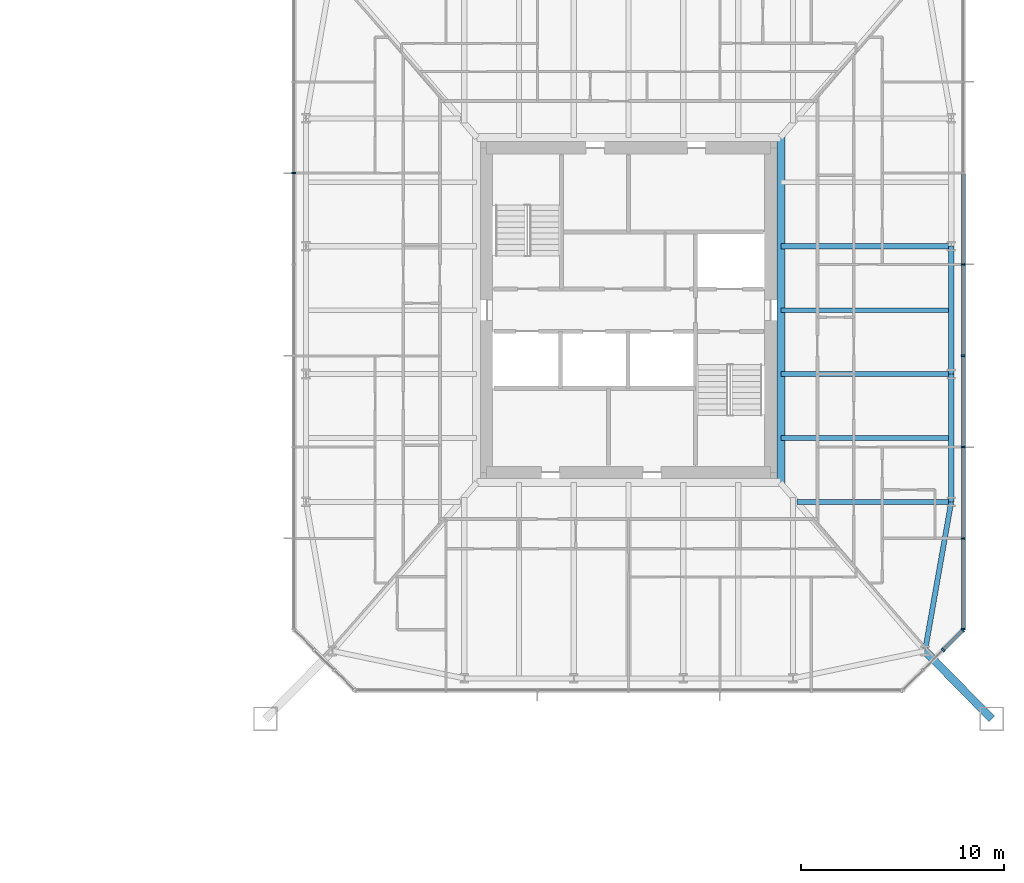
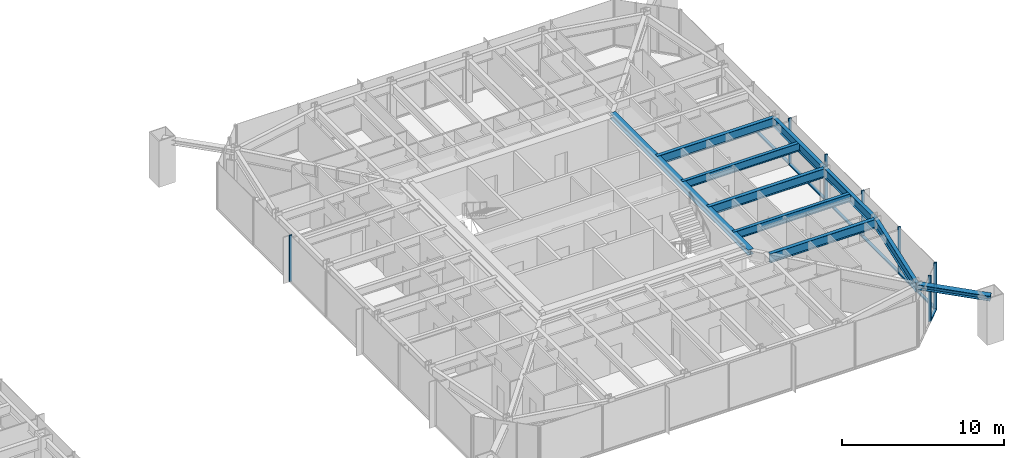
# One storey, part 9 of 26: 15 members, 9 beams, 3 elements without a shape of their own.
"""IFC4 building model written with IfcOpenShell, lengths in metres."""

from ifc_helpers import new_model, si_unit, direction, frame, origin, origin_2d, place, context, subcontext, project, spatial, rectangle, i_section, extrude, material, material_profile, profile_set, type_object, element, aggregate, save


model = new_model("IFC4")

# Units and contexts
model_context = context("Model", 3, precision=1e-05, world=origin(), true_north=direction((0.0, 1.0)))
body_context = subcontext(model_context, "Body", "Model", "MODEL_VIEW")
ifc_project = project(units=[si_unit("LENGTHUNIT", "METRE"), si_unit("AREAUNIT", "SQUARE_METRE"), si_unit("VOLUMEUNIT", "CUBIC_METRE"), si_unit("PLANEANGLEUNIT", "RADIAN"), si_unit("MASSUNIT", "GRAM", prefix="KILO")], contexts=[model_context])

# Site, building, storey
site_placement = place(None, origin())
site = spatial("IfcSite", under=ifc_project, at=site_placement, CompositionType="ELEMENT")
building_placement = place(site_placement, origin())
building = spatial("IfcBuilding", under=site, at=building_placement, Name="Iwan Alto Co-Living Towers", CompositionType="ELEMENT")
storey_placement = place(building_placement, frame((0.0, 0.0, 29.0)))
storey = spatial("IfcBuildingStorey", under=building, at=storey_placement, Name="L07", CompositionType="ELEMENT", Elevation=29.0)

# Curtain wall, members
ifc_material_1 = material(Name="Bronze aluminium unitised frame", Category="aluminium")
curtain_wall_type_1 = type_object("IfcCurtainWallType", Name="CURTAIN WALL CW-C", PredefinedType="NOTDEFINED", material=ifc_material_1)
curtain_wall_1_placement = place(storey_placement, origin())
curtain_wall_1 = element("IfcCurtainWall", 1, at=curtain_wall_1_placement, inside=storey, type_object=curtain_wall_type_1, Name="T2 curtain wall E L07", PredefinedType="NOTDEFINED")
ifc_material_2 = material(Name="Aluminium 6063-T6 bronze anodised", Category="aluminium")
ifc_material_profile_1 = material_profile(ifc_material_2, rectangle(XDim=0.199951171875, YDim=0.080078125, at=origin_2d()), Name="AL 80X200")
ifc_profile_set_1 = profile_set([ifc_material_profile_1], Name="Aluminium 6063-T6 bronze anodised")
member_type_1 = type_object("IfcMemberType", Name="CW-C MULLION 80X200", PredefinedType="MULLION", material=ifc_profile_set_1)
member_1_placement = place(storey_placement, frame((79.5, -15.7099609375, 0.0), z_axis=(0.0, 0.0, 1.0), x_axis=(-1.0, 0.0, 0.0)))
member_1 = element("IfcMember", 2, at=member_1_placement, type_object=member_type_1, Name="CW-C mullion 1", PredefinedType="MULLION", context=body_context, shape_type="SweptSolid", body=[
    extrude(rectangle(XDim=0.199951171875, YDim=0.080078125, at=origin_2d()), origin(), (0.0, 0.0, 1.0), 3.5),
])
member_2_placement = place(storey_placement, frame((79.5, -11.25, 0.0), z_axis=(0.0, 0.0, 1.0), x_axis=(-1.0, 0.0, 0.0)))
member_2 = element("IfcMember", 3, at=member_2_placement, type_object=member_type_1, Name="CW-C mullion 2", PredefinedType="MULLION", context=body_context, shape_type="SweptSolid", body=[
    extrude(rectangle(XDim=0.199951171875, YDim=0.080078125, at=origin_2d()), origin(), (0.0, 0.0, 1.0), 3.5),
])
member_3_placement = place(storey_placement, frame((79.5, -6.75, 0.0), z_axis=(0.0, 0.0, 1.0), x_axis=(-1.0, 0.0, 0.0)))
member_3 = element("IfcMember", 4, at=member_3_placement, type_object=member_type_1, Name="CW-C mullion 3", PredefinedType="MULLION", context=body_context, shape_type="SweptSolid", body=[
    extrude(rectangle(XDim=0.199951171875, YDim=0.080078125, at=origin_2d()), origin(), (0.0, 0.0, 1.0), 3.5),
])
member_4_placement = place(storey_placement, frame((79.5, -2.25, 0.0), z_axis=(0.0, 0.0, 1.0), x_axis=(-1.0, 0.0, 0.0)))
member_4 = element("IfcMember", 5, at=member_4_placement, type_object=member_type_1, Name="CW-C mullion 4", PredefinedType="MULLION", context=body_context, shape_type="SweptSolid", body=[
    extrude(rectangle(XDim=0.199951171875, YDim=0.080078125, at=origin_2d()), origin(), (0.0, 0.0, 1.0), 3.5),
])
member_5_placement = place(storey_placement, frame((79.5, 2.25, 0.0), z_axis=(0.0, 0.0, 1.0), x_axis=(-1.0, 0.0, 0.0)))
member_5 = element("IfcMember", 6, at=member_5_placement, type_object=member_type_1, Name="CW-C mullion 5", PredefinedType="MULLION", context=body_context, shape_type="SweptSolid", body=[
    extrude(rectangle(XDim=0.199951171875, YDim=0.080078125, at=origin_2d()), origin(), (0.0, 0.0, 1.0), 3.5),
])

# Curtain wall, member
curtain_wall_2_placement = place(storey_placement, origin())
curtain_wall_2 = element("IfcCurtainWall", 7, at=curtain_wall_2_placement, inside=storey, type_object=curtain_wall_type_1, Name="T2 curtain wall W L07", PredefinedType="NOTDEFINED")
member_6_placement = place(storey_placement, frame((46.5, 6.75, 0.0), z_axis=(0.0, 0.0, 1.0), x_axis=(1.0, 0.0, 0.0)))
member_6 = element("IfcMember", 8, at=member_6_placement, type_object=member_type_1, Name="CW-C mullion 3", PredefinedType="MULLION", context=body_context, shape_type="SweptSolid", body=[
    extrude(rectangle(XDim=0.199951171875, YDim=0.080078125, at=origin_2d()), origin(), (0.0, 0.0, 1.0), 3.5),
])
aggregate(curtain_wall_2, [member_6])

# Member
ifc_material_3 = material(Name="Aluminium 6063-T6 bronze anodised", Category="aluminium")
ifc_material_profile_2 = material_profile(ifc_material_3, rectangle(XDim=0.199951171875, YDim=0.10009765625, at=origin_2d()), Name="AL 200X100")
ifc_profile_set_2 = profile_set([ifc_material_profile_2], Name="Aluminium 6063-T6 bronze anodised")
member_type_2 = type_object("IfcMemberType", Name="CW-C TRANSOM 200X100", PredefinedType="USERDEFINED", material=ifc_profile_set_2)
member_7_placement = place(storey_placement, frame((79.5, -15.669921875, 0.050048828125), z_axis=(0.0, 1.0, 0.0), x_axis=(-1.0, 0.0, 0.0)))
member_7 = element("IfcMember", 9, at=member_7_placement, type_object=member_type_2, Name="CW-C transom 1.1", ObjectType="TRANSOM", PredefinedType="USERDEFINED", context=body_context, shape_type="SweptSolid", body=[
    extrude(rectangle(XDim=0.199951171875, YDim=0.10009765625, at=origin_2d()), origin(), (0.0, 0.0, 1.0), 4.3798828125),
])

member_8_placement = place(storey_placement, frame((79.5, -11.2099609375, 0.050048828125), z_axis=(0.0, 1.0, 0.0), x_axis=(-1.0, 0.0, 0.0)))
member_8 = element("IfcMember", 10, at=member_8_placement, type_object=member_type_2, Name="CW-C transom 2.1", ObjectType="TRANSOM", PredefinedType="USERDEFINED", context=body_context, shape_type="SweptSolid", body=[
    extrude(rectangle(XDim=0.199951171875, YDim=0.10009765625, at=origin_2d()), origin(), (0.0, 0.0, 1.0), 4.419921875),
])

member_9_placement = place(storey_placement, frame((79.5, -6.7099609375, 0.050048828125), z_axis=(0.0, 1.0, 0.0), x_axis=(-1.0, 0.0, 0.0)))
member_9 = element("IfcMember", 11, at=member_9_placement, type_object=member_type_2, Name="CW-C transom 3.1", ObjectType="TRANSOM", PredefinedType="USERDEFINED", context=body_context, shape_type="SweptSolid", body=[
    extrude(rectangle(XDim=0.199951171875, YDim=0.10009765625, at=origin_2d()), origin(), (0.0, 0.0, 1.0), 4.419921875),
])

member_10_placement = place(storey_placement, frame((79.5, -2.2099609375, 0.050048828125), z_axis=(0.0, 1.0, 0.0), x_axis=(-1.0, 0.0, 0.0)))
member_10 = element("IfcMember", 12, at=member_10_placement, type_object=member_type_2, Name="CW-C transom 4.1", ObjectType="TRANSOM", PredefinedType="USERDEFINED", context=body_context, shape_type="SweptSolid", body=[
    extrude(rectangle(XDim=0.199951171875, YDim=0.10009765625, at=origin_2d()), origin(), (0.0, 0.0, 1.0), 4.419921875),
])

member_11_placement = place(storey_placement, frame((79.5, 2.2900390625, 0.050048828125), z_axis=(0.0, 1.0, 0.0), x_axis=(-1.0, 0.0, 0.0)))
member_11 = element("IfcMember", 13, at=member_11_placement, type_object=member_type_2, Name="CW-C transom 5.1", ObjectType="TRANSOM", PredefinedType="USERDEFINED", context=body_context, shape_type="SweptSolid", body=[
    extrude(rectangle(XDim=0.199951171875, YDim=0.10009765625, at=origin_2d()), origin(), (0.0, 0.0, 1.0), 4.419921875),
])

aggregate(curtain_wall_1, [member_1, member_2, member_3, member_4, member_5, member_7, member_8, member_9, member_10, member_11])

# Curtain wall, members
ifc_material_4 = material(Name="Bronze aluminium unitised frame", Category="aluminium")
curtain_wall_type_2 = type_object("IfcCurtainWallType", Name="CURTAIN WALL CW-D", PredefinedType="NOTDEFINED", material=ifc_material_4)
curtain_wall_3_placement = place(storey_placement, origin())
curtain_wall_3 = element("IfcCurtainWall", 14, at=curtain_wall_3_placement, inside=storey, type_object=curtain_wall_type_2, Name="T2 chamfer curtain wall SE L07", PredefinedType="NOTDEFINED")
ifc_material_5 = material(Name="Aluminium 6063-T6 bronze anodised", Category="aluminium")
ifc_material_profile_3 = material_profile(ifc_material_5, rectangle(XDim=0.199951171875, YDim=0.080078125, at=origin_2d()), Name="AL 80X200")
ifc_profile_set_3 = profile_set([ifc_material_profile_3], Name="Aluminium 6063-T6 bronze anodised")
member_type_3 = type_object("IfcMemberType", Name="CW-D MULLION 80X200", PredefinedType="MULLION", material=ifc_profile_set_3)
member_12_placement = place(storey_placement, frame((78.5, -16.75, 0.0), z_axis=(0.0, 0.0, 1.0), x_axis=(-0.707106781187, 0.707106781187, 0.0)))
member_12 = element("IfcMember", 15, at=member_12_placement, type_object=member_type_3, Name="CW-D mullion 3", PredefinedType="MULLION", context=body_context, shape_type="SweptSolid", body=[
    extrude(rectangle(XDim=0.199951171875, YDim=0.080078125, at=origin_2d()), origin(), (0.0, 0.0, 1.0), 3.5),
])
member_13_placement = place(storey_placement, frame((79.4716796875, -15.7783203125, 0.0), z_axis=(0.0, 0.0, 1.0), x_axis=(-0.707106781187, 0.707106781187, 0.0)))
member_13 = element("IfcMember", 16, at=member_13_placement, type_object=member_type_3, Name="CW-D mullion 4", PredefinedType="MULLION", context=body_context, shape_type="SweptSolid", body=[
    extrude(rectangle(XDim=0.199951171875, YDim=0.080078125, at=origin_2d()), origin(), (0.0, 0.0, 1.0), 3.5),
])
ifc_material_6 = material(Name="Aluminium 6063-T6 bronze anodised", Category="aluminium")
ifc_material_profile_4 = material_profile(ifc_material_6, rectangle(XDim=0.199951171875, YDim=0.10009765625, at=origin_2d()), Name="AL 200X100")
ifc_profile_set_4 = profile_set([ifc_material_profile_4], Name="Aluminium 6063-T6 bronze anodised")
member_type_4 = type_object("IfcMemberType", Name="CW-D TRANSOM 200X100", PredefinedType="USERDEFINED", material=ifc_profile_set_4)
member_14_placement = place(storey_placement, frame((78.5283203125, -16.7216796875, 0.050048828125), z_axis=(0.707106781187, 0.707106781187, 0.0), x_axis=(-0.707106781187, 0.707106781187, 0.0)))
member_14 = element("IfcMember", 17, at=member_14_placement, type_object=member_type_4, Name="CW-D transom 3.1", ObjectType="TRANSOM", PredefinedType="USERDEFINED", context=body_context, shape_type="SweptSolid", body=[
    extrude(rectangle(XDim=0.199951171875, YDim=0.10009765625, at=origin_2d()), origin(), (0.0, 0.0, 1.0), 1.2939453125),
])
aggregate(curtain_wall_3, [member_12, member_13, member_14])

# Beams
ifc_material_7 = material(Name="Steel ASTM A992 Gr 50", Category="steel")
ifc_material_profile_5 = material_profile(ifc_material_7, i_section(OverallWidth=0.40380859375, OverallDepth=0.406494140625, WebThickness=0.027099609375, FlangeThickness=0.043701171875, at=origin_2d()), Name="W14X233")
ifc_profile_set_5 = profile_set([ifc_material_profile_5], Name="Steel ASTM A992 Gr 50")
beam_type_1 = type_object("IfcBeamType", Name="T2 CORE LEDGER BEAM W14X233", PredefinedType="BEAM", material=ifc_profile_set_5)
beam_1_placement = place(storey_placement, frame((70.501953125, -8.534912109375, 3.06689453125), z_axis=(0.0, 1.0, 0.0), x_axis=(-1.0, 0.0, 0.0)))
element("IfcBeam", 18, at=beam_1_placement, inside=storey, type_object=beam_type_1, Name="T2 core ledger beam E L08", PredefinedType="BEAM", context=body_context, shape_type="SweptSolid", body=[
    extrude(i_section(OverallWidth=0.40380859375, OverallDepth=0.406494140625, WebThickness=0.027099609375, FlangeThickness=0.043701171875, at=origin_2d()), origin(), (0.0, 0.0, 1.0), 17.06982421875),
])
ifc_material_8 = material(Name="Steel ASTM A992 Gr 50", Category="steel")
ifc_material_profile_6 = material_profile(ifc_material_8, i_section(OverallWidth=0.25390625, OverallDepth=0.683349609375, WebThickness=0.012451171875, FlangeThickness=0.018798828125, at=origin_2d()), Name="W27X94")
ifc_profile_set_6 = profile_set([ifc_material_profile_6], Name="Steel ASTM A992 Gr 50")
beam_type_2 = type_object("IfcBeamType", Name="T2 EDGE BEAM W27X94", PredefinedType="BEAM", material=ifc_profile_set_6)
beam_2_placement = place(storey_placement, frame((77.606201171875, -16.797119140625, 2.928466796875), z_axis=(0.173413807283, 0.98484905008, 0.0), x_axis=(-0.98484905008, 0.173413807283, 0.0)))
element("IfcBeam", 19, at=beam_2_placement, inside=storey, type_object=beam_type_2, Name="T2 edge beam CSE L08", PredefinedType="BEAM", context=body_context, shape_type="SweptSolid", body=[
    extrude(i_section(OverallWidth=0.25390625, OverallDepth=0.683349609375, WebThickness=0.012451171875, FlangeThickness=0.018798828125, at=origin_2d()), origin(), (0.0, 0.0, 1.0), 7.460205078125),
])
beam_3_placement = place(storey_placement, frame((78.89990234375, -9.449951171875, 2.928466796875), z_axis=(0.0, 1.0, 0.0), x_axis=(-1.0, 0.0, 0.0)))
element("IfcBeam", 20, at=beam_3_placement, inside=storey, type_object=beam_type_2, Name="T2 edge beam E1 L08", PredefinedType="BEAM", context=body_context, shape_type="SweptSolid", body=[
    extrude(i_section(OverallWidth=0.25390625, OverallDepth=0.683349609375, WebThickness=0.012451171875, FlangeThickness=0.018798828125, at=origin_2d()), origin(), (0.0, 0.0, 1.0), 6.300048828125),
])
beam_4_placement = place(storey_placement, frame((78.89990234375, -3.14990234375, 2.928466796875), z_axis=(0.0, 1.0, 0.0), x_axis=(-1.0, 0.0, 0.0)))
element("IfcBeam", 21, at=beam_4_placement, inside=storey, type_object=beam_type_2, Name="T2 edge beam E2 L08", PredefinedType="BEAM", context=body_context, shape_type="SweptSolid", body=[
    extrude(i_section(OverallWidth=0.25390625, OverallDepth=0.683349609375, WebThickness=0.012451171875, FlangeThickness=0.018798828125, at=origin_2d()), origin(), (0.0, 0.0, 1.0), 6.2998046875),
])

# Member
ifc_material_9 = material(Name="Steel ASTM A992 Gr 50", Category="steel")
ifc_material_profile_7 = material_profile(ifc_material_9, i_section(OverallWidth=0.393798828125, OverallDepth=0.3759765625, WebThickness=0.017333984375, FlangeThickness=0.027587890625, at=origin_2d()), Name="W14X145")
ifc_profile_set_7 = profile_set([ifc_material_profile_7], Name="Steel ASTM A992 Gr 50")
member_type_5 = type_object("IfcMemberType", Name="T2 MEGA COLUMN FLOOR TIE W14X145", PredefinedType="STRUT", material=ifc_profile_set_7)
member_15_placement = place(storey_placement, frame((80.89990234375, -20.14990234375, 3.08203125), z_axis=(-0.700793469544, 0.71336422187, 0.0), x_axis=(-0.71336422187, -0.700793469544, 0.0)))
element("IfcMember", 22, at=member_15_placement, inside=storey, type_object=member_type_5, Name="T2 mega column floor tie SE L08", PredefinedType="STRUT", context=body_context, shape_type="SweptSolid", body=[
    extrude(i_section(OverallWidth=0.393798828125, OverallDepth=0.3759765625, WebThickness=0.017333984375, FlangeThickness=0.027587890625, at=origin_2d()), origin(), (0.0, 0.0, 1.0), 4.699951171875),
])

# Beams
ifc_material_10 = material(Name="Steel ASTM A992 Gr 50", Category="steel")
ifc_material_profile_8 = material_profile(ifc_material_10, i_section(OverallWidth=0.25390625, OverallDepth=0.683349609375, WebThickness=0.012451171875, FlangeThickness=0.018798828125, at=origin_2d()), Name="W27X94")
ifc_profile_set_8 = profile_set([ifc_material_profile_8], Name="Steel ASTM A992 Gr 50")
beam_type_3 = type_object("IfcBeamType", Name="T2 RADIAL BEAM W27X94", PredefinedType="BEAM", material=ifc_profile_set_8)
beam_5_placement = place(storey_placement, frame((78.89990234375, -9.449951171875, 2.928466796875), z_axis=(-1.0, 0.0, 0.0), x_axis=(0.0, -1.0, 0.0)))
element("IfcBeam", 23, at=beam_5_placement, inside=storey, type_object=beam_type_3, Name="T2 radial beam E1 L08", PredefinedType="BEAM", context=body_context, shape_type="SweptSolid", body=[
    extrude(i_section(OverallWidth=0.25390625, OverallDepth=0.683349609375, WebThickness=0.012451171875, FlangeThickness=0.018798828125, at=origin_2d()), origin(), (0.0, 0.0, 1.0), 7.611083984375),
])
for number, where, z_axis, x_axis, name in (
    (24, (78.89990234375, -3.14990234375, 2.928466796875), (-1.0, 0.0, 0.0), (0.0, -1.0, 0.0), "T2 radial beam E2 L08"),
    (25, (78.89990234375, 3.14990234375, 2.928466796875), (-1.0, 0.0, 0.0), (0.0, -1.0, 0.0), "T2 radial beam E3 L08"),
):
    element("IfcBeam", number, at=place(storey_placement, frame(where, z_axis=z_axis, x_axis=x_axis)), inside=storey, type_object=beam_type_3, Name=name, PredefinedType="BEAM", context=body_context, shape_type="SweptSolid", body=[
        extrude(i_section(OverallWidth=0.25390625, OverallDepth=0.683349609375, WebThickness=0.012451171875, FlangeThickness=0.018798828125, at=origin_2d()), origin(), (0.0, 0.0, 1.0), 8.39794921875),
    ])
ifc_material_11 = material(Name="Steel ASTM A992 Gr 50", Category="steel")
ifc_material_profile_9 = material_profile(ifc_material_11, i_section(OverallWidth=0.228271484375, OverallDepth=0.607177734375, WebThickness=0.01123046875, FlangeThickness=0.017333984375, at=origin_2d()), Name="W24X76")
ifc_profile_set_9 = profile_set([ifc_material_profile_9], Name="Steel ASTM A992 Gr 50")
beam_type_4 = type_object("IfcBeamType", Name="T2 SECONDARY BEAM W24X76", PredefinedType="JOIST", material=ifc_profile_set_9)
for number, where, z_axis, x_axis, name in (
    (26, (78.89990234375, -6.300048828125, 2.966552734375), (-1.0, 0.0, 0.0), (0.0, -1.0, 0.0), "T2 secondary beam E1 L08"),
    (27, (78.89990234375, 0.0, 2.966552734375), (-1.0, 0.0, 0.0), (0.0, -1.0, 0.0), "T2 secondary beam E2 L08"),
):
    element("IfcBeam", number, at=place(storey_placement, frame(where, z_axis=z_axis, x_axis=x_axis)), inside=storey, type_object=beam_type_4, Name=name, PredefinedType="JOIST", context=body_context, shape_type="SweptSolid", body=[
        extrude(i_section(OverallWidth=0.228271484375, OverallDepth=0.607177734375, WebThickness=0.01123046875, FlangeThickness=0.017333984375, at=origin_2d()), origin(), (0.0, 0.0, 1.0), 8.39794921875),
    ])

save(model, "model.ifc")
